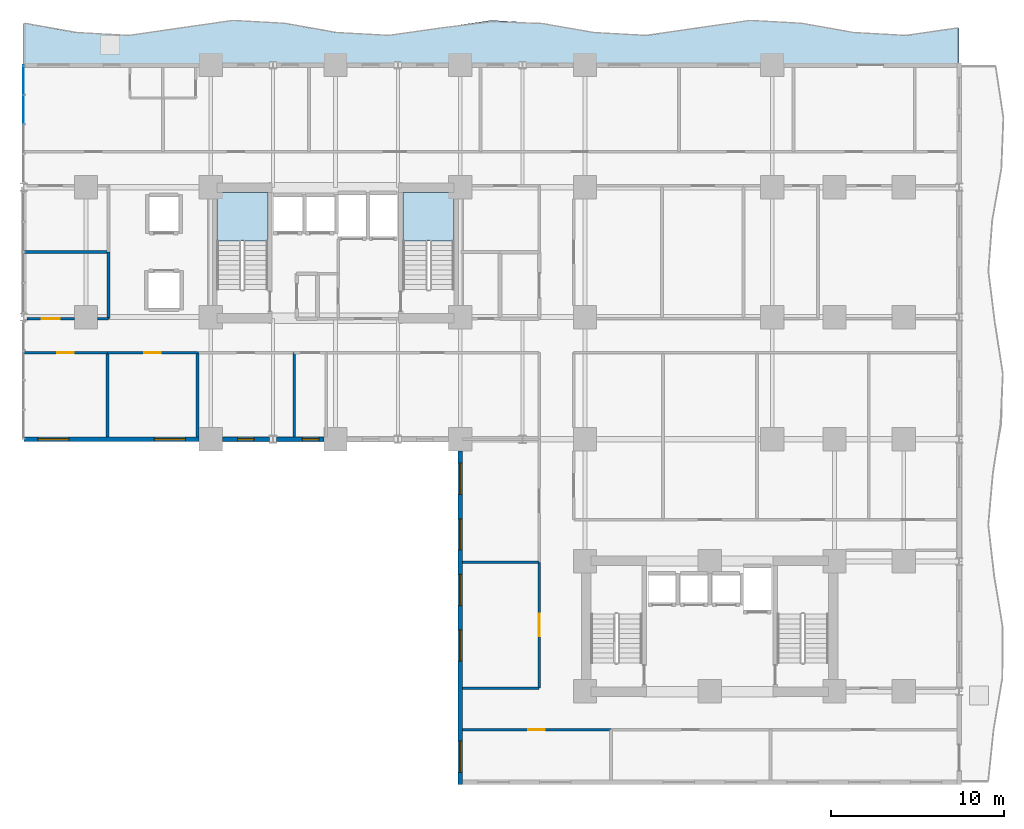
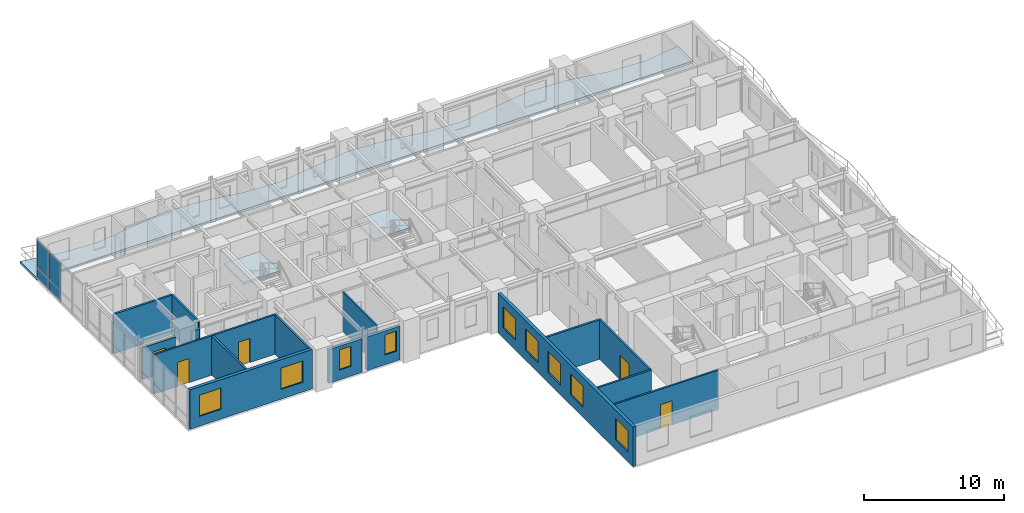
# One storey, part 10 of 19: 17 walls, 9 windows, 5 doors, 4 plates, 3 slabs, 14 openings, 3 elements without a shape of their own.
"""IFC4 building model written with IfcOpenShell, lengths in metres."""

from ifc_helpers import new_model, si_unit, direction, frame, frame_2d, origin, origin_2d, place, context, subcontext, project, spatial, polyline, rectangle, outline, extrude, source, transform, mapped, material, layer, layer_set, type_object, element, fill, aggregate, save


model = new_model("IFC4")

# Units and contexts
model_context = context("Model", 3, precision=1e-05, world=origin(), true_north=direction((0.0, 1.0)))
body_context = subcontext(model_context, "Body", "Model", "MODEL_VIEW")
ifc_project = project(units=[si_unit("LENGTHUNIT", "METRE"), si_unit("AREAUNIT", "SQUARE_METRE"), si_unit("VOLUMEUNIT", "CUBIC_METRE"), si_unit("PLANEANGLEUNIT", "RADIAN"), si_unit("MASSUNIT", "GRAM", prefix="KILO")], contexts=[model_context])

# Site, building, storey
site_placement = place(None, origin())
site = spatial("IfcSite", under=ifc_project, at=site_placement, CompositionType="ELEMENT")
building_placement = place(site_placement, origin())
building = spatial("IfcBuilding", under=site, at=building_placement, Name="Kaliganga Portal Commons", CompositionType="ELEMENT")
storey_placement = place(building_placement, frame((0.0, 0.0, 47.5)))
storey = spatial("IfcBuildingStorey", under=building, at=storey_placement, Name="L11", CompositionType="ELEMENT", Elevation=47.5)

# Slab
ifc_material_1 = material(Name="Concrete C40/50", Category="concrete")
ifc_layer_1 = layer(ifc_material_1, 0.2099609375)
ifc_layer_set_1 = layer_set([ifc_layer_1], Name="Concrete C40/50")
slab_type_1 = type_object("IfcSlabType", Name="SLB-BALC-210", PredefinedType="FLOOR", material=ifc_layer_set_1)
slab_1_placement = place(storey_placement, frame((0.0, 0.0, -0.2099609375)))
element("IfcSlab", 1, at=slab_1_placement, inside=storey, type_object=slab_type_1, Name="Scalloped Tree-Planter Balcony Slab L11 balc_north", PredefinedType="FLOOR", context=body_context, shape_type="SweptSolid", body=[
    extrude(outline(polyline([(57.60009765625, 43.199951171875), (57.60009765625, 45.34326171875), (54.60009765625, 44.908935546875), (51.60009765625, 45.07470703125), (48.60009765625, 45.61181640625), (45.60009765625, 45.777587890625), (42.60009765625, 45.34326171875), (39.60009765625, 44.908935546875), (36.60009765625, 45.07470703125), (33.60009765625, 45.61181640625), (30.60009765625, 45.777587890625), (27.60009765625, 45.34326171875), (24.60009765625, 44.908935546875), (21.60009765625, 45.07470703125), (18.60009765625, 45.61181640625), (15.60009765625, 45.777587890625), (12.60009765625, 45.34326171875), (9.60009765625, 44.908935546875), (6.60009765625, 45.07470703125), (3.60009765625, 45.61181640625), (3.60009765625, 43.199951171875), (57.60009765625, 43.199951171875)])), origin(), (0.0, 0.0, 1.0), 0.2099609375),
])

# Stair, slab
stair_type = type_object("IfcStairType", Name="ST-CORE-DOGLEG", PredefinedType="HALF_TURN_STAIR", material=ifc_material_1)
stair_1_placement = place(storey_placement, origin())
stair_1 = element("IfcStair", 2, at=stair_1_placement, inside=storey, type_object=stair_type, Name="L11 Protected Exit Stair ST-A1", PredefinedType="HALF_TURN_STAIR")
ifc_layer_2 = layer(ifc_material_1, 0.199951171875)
ifc_layer_set_2 = layer_set([ifc_layer_2], Name="Concrete C40/50")
slab_type_2 = type_object("IfcSlabType", Name="SLB-STAIR-LND", PredefinedType="LANDING", material=ifc_layer_set_2)
slab_2_placement = place(storey_placement, frame((0.0, 0.0, 1.64990234375)))
slab_2 = element("IfcSlab", 3, at=slab_2_placement, type_object=slab_type_2, Name="ST-A1 landing 1", PredefinedType="LANDING", context=body_context, shape_type="SweptSolid", body=[
    extrude(outline(polyline([(17.699951171875, 33.050048828125), (17.699951171875, 35.85009765625), (14.75, 35.85009765625), (14.75, 33.050048828125), (17.699951171875, 33.050048828125)])), origin(), (0.0, 0.0, 1.0), 0.2001953125),
])
aggregate(stair_1, [slab_2])

stair_2_placement = place(storey_placement, origin())
stair_2 = element("IfcStair", 4, at=stair_2_placement, inside=storey, type_object=stair_type, Name="L11 Protected Exit Stair ST-A2", PredefinedType="HALF_TURN_STAIR")
slab_3_placement = place(storey_placement, frame((0.0, 0.0, 1.64990234375)))
slab_3 = element("IfcSlab", 5, at=slab_3_placement, type_object=slab_type_2, Name="ST-A2 landing 1", PredefinedType="LANDING", context=body_context, shape_type="SweptSolid", body=[
    extrude(outline(polyline([(28.449951171875, 33.050048828125), (28.449951171875, 35.85009765625), (25.5, 35.85009765625), (25.5, 33.050048828125), (28.449951171875, 33.050048828125)])), origin(), (0.0, 0.0, 1.0), 0.2001953125),
])
aggregate(stair_2, [slab_3])

# Curtain wall, plates
ifc_material_2 = material(Name="Anodized Aluminium and Laminated Low-E Glass", Category="aluminium")
ifc_layer_3 = layer(ifc_material_2, 0.199951171875)
ifc_layer_set_3 = layer_set([ifc_layer_3], Name="Anodized Aluminium and Laminated Low-E Glass")
curtain_wall_type = type_object("IfcCurtainWallType", Name="CW-SYS-02", PredefinedType="NOTDEFINED", material=ifc_layer_set_3)
curtain_wall_placement = place(storey_placement, origin())
curtain_wall = element("IfcCurtainWall", 6, at=curtain_wall_placement, inside=storey, type_object=curtain_wall_type, Name="CW 02 L11 P1E03S1", PredefinedType="NOTDEFINED")
ifc_material_3 = material(Name="Insulated Dark Spandrel Panel", Category="metal")
ifc_layer_4 = layer(ifc_material_3, 0.044921875)
ifc_layer_set_4 = layer_set([ifc_layer_4], Name="Insulated Dark Spandrel Panel")
plate_type_1 = type_object("IfcPlateType", Name="PLT-SPN-45", PredefinedType="SHEET", material=ifc_layer_set_4)
shared_shape_1 = source(origin(), body_context, "Body", "SweptSolid", [
    extrude(rectangle(XDim=1.66650390625, YDim=0.044921875, at=origin_2d()), origin(), (0.0, 0.0, 1.0), 0.929931640625),
])
plate_1_placement = place(storey_placement, frame((3.60009765625, 42.3466796875, 0.01025390625), z_axis=(0.0, 0.0, 1.0), x_axis=(0.0, -1.0, 0.0)))
plate_1 = element("IfcPlate", 7, at=plate_1_placement, type_object=plate_type_1, Name="CW:02:L11:P1E03S1 Spandrel 00", PredefinedType="SHEET", context=body_context, shape_type="MappedRepresentation", body=[
    mapped(shared_shape_1, transform((0.0, 0.0, 0.0), x_axis=(1.0, 0.0, 0.0), y_axis=(0.0, 1.0, 0.0), z_axis=(0.0, 0.0, 1.0), scale=1.0)),
])
plate_2_placement = place(storey_placement, frame((3.60009765625, 40.640380859375, 0.01025390625), z_axis=(0.0, 0.0, 1.0), x_axis=(0.0, -1.0, 0.0)))
plate_2 = element("IfcPlate", 8, at=plate_2_placement, type_object=plate_type_1, Name="CW:02:L11:P1E03S1 Spandrel 01", PredefinedType="SHEET", context=body_context, shape_type="MappedRepresentation", body=[
    mapped(shared_shape_1, transform((0.0, 0.0, 0.0), x_axis=(1.0, 0.0, 0.0), y_axis=(0.0, 1.0, 0.0), z_axis=(0.0, 0.0, 1.0), scale=1.0)),
])
ifc_material_4 = material(Name="Dark Solar-Control Laminated Low-E IGU", Category="glass")
ifc_layer_5 = layer(ifc_material_4, 0.028076171875)
ifc_layer_set_5 = layer_set([ifc_layer_5], Name="Dark Solar-Control Laminated Low-E IGU")
plate_type_2 = type_object("IfcPlateType", Name="PLT-GLZ-28", PredefinedType="CURTAIN_PANEL", material=ifc_layer_set_5)
shared_shape_2 = source(origin(), body_context, "Body", "SweptSolid", [
    extrude(rectangle(XDim=1.66650390625, YDim=0.028076171875, at=origin_2d()), origin(), (0.0, 0.0, 1.0), 2.39990234375),
])
plate_3_placement = place(storey_placement, frame((3.60009765625, 42.3466796875, 0.9599609375), z_axis=(0.0, 0.0, 1.0), x_axis=(0.0, -1.0, 0.0)))
plate_3 = element("IfcPlate", 9, at=plate_3_placement, type_object=plate_type_2, Name="CW:02:L11:P1E03S1 Vision IGU 00", PredefinedType="CURTAIN_PANEL", context=body_context, shape_type="MappedRepresentation", body=[
    mapped(shared_shape_2, transform((0.0, 0.0, 0.0), x_axis=(1.0, 0.0, 0.0), y_axis=(0.0, 1.0, 0.0), z_axis=(0.0, 0.0, 1.0), scale=1.0)),
])
plate_4_placement = place(storey_placement, frame((3.60009765625, 40.640380859375, 0.9599609375), z_axis=(0.0, 0.0, 1.0), x_axis=(0.0, -1.0, 0.0)))
plate_4 = element("IfcPlate", 10, at=plate_4_placement, type_object=plate_type_2, Name="CW:02:L11:P1E03S1 Vision IGU 01", PredefinedType="CURTAIN_PANEL", context=body_context, shape_type="MappedRepresentation", body=[
    mapped(shared_shape_2, transform((0.0, 0.0, 0.0), x_axis=(1.0, 0.0, 0.0), y_axis=(0.0, 1.0, 0.0), z_axis=(0.0, 0.0, 1.0), scale=1.0)),
])
aggregate(curtain_wall, [plate_1, plate_3, plate_2, plate_4])

# Wall, openings, windows
ifc_material_5 = material(Name="Insulated Aluminium-Clad Spandrel Assembly", Category="aluminium")
ifc_layer_6 = layer(ifc_material_5, 0.260009765625)
ifc_layer_set_6 = layer_set([ifc_layer_6], Name="Insulated Aluminium-Clad Spandrel Assembly")
wall_type_1 = type_object("IfcWallType", Name="WL-EXT-SPAND-260", PredefinedType="STANDARD", material=ifc_layer_set_6)
wall_1_placement = place(storey_placement, frame((13.72412109375, 21.60009765625, 0.0), z_axis=(0.0, 0.0, 1.0), x_axis=(-1.0, 0.0, 0.0)))
wall_1 = element("IfcWall", 11, at=wall_1_placement, inside=storey, type_object=wall_type_1, Name="Exterior Envelope Wall L11 P1-E04-S1", PredefinedType="STANDARD", context=body_context, shape_type="SweptSolid", body=[
    extrude(rectangle(XDim=10.087158203125, YDim=0.260009765625, at=frame_2d((5.04345703125, 0.0))), origin(), (0.0, 0.0, 1.0), 3.429931640625),
])
opening_1_placement = place(wall_1_placement, frame((0.78125, 0.0, 0.85009765625)))
opening_1 = element("IfcOpeningElement", 12, at=opening_1_placement, cuts=wall_1, Name="Opening W-01", PredefinedType="OPENING", context=body_context, shape_type="SweptSolid", body=[
    extrude(rectangle(XDim=1.800048828125, YDim=1.85009765625, at=frame_2d((0.89990234375, 0.925048828125))), frame((0.0, 0.14013671875, 0.0), z_axis=(0.0, -1.0, 0.0), x_axis=(1.0, 0.0, 0.0)), (0.0, 0.0, 1.0), 0.280029296875),
])
opening_2_placement = place(wall_1_placement, frame((7.505859375, 0.0, 0.85009765625)))
opening_2 = element("IfcOpeningElement", 13, at=opening_2_placement, cuts=wall_1, Name="Opening W-01", PredefinedType="OPENING", context=body_context, shape_type="SweptSolid", body=[
    extrude(rectangle(XDim=1.800048828125, YDim=1.85009765625, at=frame_2d((0.89990234375, 0.925048828125))), frame((0.0, 0.14013671875, 0.0), z_axis=(0.0, -1.0, 0.0), x_axis=(1.0, 0.0, 0.0)), (0.0, 0.0, 1.0), 0.280029296875),
])
ifc_material_6 = material(Name="Thermally Broken Aluminium and Low-E Double Glazing", Category="aluminium")
window_type_1 = type_object("IfcWindowType", Name="WIN-STD-1800", PartitioningType="DOUBLE_PANEL_VERTICAL", PredefinedType="WINDOW", material=ifc_material_6)
window_1_placement = place(opening_1_placement, origin())
window_1 = element("IfcWindow", 14, at=window_1_placement, inside=storey, type_object=window_type_1, Name="Facade Window L11-P1E04S1-00", OverallHeight=1.85009765625, OverallWidth=1.800048828125, PartitioningType="SINGLE_PANEL", PredefinedType="WINDOW", context=body_context, shape_type="SweptSolid", body=[
    extrude(rectangle(XDim=1.800048828125, YDim=1.85009765625, at=frame_2d((0.89990234375, 0.925048828125))), frame((0.0, 0.030029296875, 0.0), z_axis=(0.0, -1.0, 0.0), x_axis=(1.0, 0.0, 0.0)), (0.0, 0.0, 1.0), 0.06005859375),
])
fill(opening_1, window_1)
window_2_placement = place(opening_2_placement, origin())
window_2 = element("IfcWindow", 15, at=window_2_placement, inside=storey, type_object=window_type_1, Name="Facade Window L11-P1E04S1-02", OverallHeight=1.85009765625, OverallWidth=1.800048828125, PartitioningType="SINGLE_PANEL", PredefinedType="WINDOW", context=body_context, shape_type="SweptSolid", body=[
    extrude(rectangle(XDim=1.800048828125, YDim=1.85009765625, at=frame_2d((0.89990234375, 0.925048828125))), frame((0.0, 0.030029296875, 0.0), z_axis=(0.0, -1.0, 0.0), x_axis=(1.0, 0.0, 0.0)), (0.0, 0.0, 1.0), 0.06005859375),
])
fill(opening_2, window_2)

# Wall, opening, window
wall_2_placement = place(storey_placement, frame((17.791015625, 21.60009765625, 0.0), z_axis=(0.0, 0.0, 1.0), x_axis=(-1.0, 0.0, 0.0)))
wall_2 = element("IfcWall", 16, at=wall_2_placement, inside=storey, type_object=wall_type_1, Name="Exterior Envelope Wall L11 P1-E04-S2", PredefinedType="STANDARD", context=body_context, shape_type="SweptSolid", body=[
    extrude(rectangle(XDim=2.715087890625, YDim=0.260009765625, at=frame_2d((1.357421875, 0.0))), origin(), (0.0, 0.0, 1.0), 2.929931640625),
])
opening_3_placement = place(wall_2_placement, frame((0.882568359375, 0.0, 0.85009765625)))
opening_3 = element("IfcOpeningElement", 17, at=opening_3_placement, cuts=wall_2, Name="Opening W-04", PredefinedType="OPENING", context=body_context, shape_type="SweptSolid", body=[
    extrude(rectangle(XDim=0.949951171875, YDim=1.75, at=frame_2d((0.47509765625, 0.875))), frame((0.0, 0.14013671875, 0.0), z_axis=(0.0, -1.0, 0.0), x_axis=(1.0, 0.0, 0.0)), (0.0, 0.0, 1.0), 0.280029296875),
])
window_type_2 = type_object("IfcWindowType", Name="WIN-NARROW-950", PartitioningType="SINGLE_PANEL", PredefinedType="WINDOW", material=ifc_material_6)
window_3_placement = place(opening_3_placement, origin())
window_3 = element("IfcWindow", 18, at=window_3_placement, inside=storey, type_object=window_type_2, Name="Facade Window L11-P1E04S2-00", OverallHeight=1.75, OverallWidth=0.949951171875, PartitioningType="SINGLE_PANEL", PredefinedType="WINDOW", context=body_context, shape_type="SweptSolid", body=[
    extrude(rectangle(XDim=0.949951171875, YDim=1.75, at=frame_2d((0.47509765625, 0.875))), frame((0.0, 0.030029296875, 0.0), z_axis=(0.0, -1.0, 0.0), x_axis=(1.0, 0.0, 0.0)), (0.0, 0.0, 1.0), 0.06005859375),
])
fill(opening_3, window_3)

wall_3_placement = place(storey_placement, frame((20.924072265625, 21.60009765625, 0.0), z_axis=(0.0, 0.0, 1.0), x_axis=(-1.0, 0.0, 0.0)))
wall_3 = element("IfcWall", 19, at=wall_3_placement, inside=storey, type_object=wall_type_1, Name="Exterior Envelope Wall L11 P1-E04-S3", PredefinedType="STANDARD", context=body_context, shape_type="SweptSolid", body=[
    extrude(rectangle(XDim=2.715087890625, YDim=0.260009765625, at=frame_2d((1.357421875, 0.0))), origin(), (0.0, 0.0, 1.0), 2.929931640625),
])
opening_4_placement = place(wall_3_placement, frame((0.28515625, 0.0, 0.85009765625)))
opening_4 = element("IfcOpeningElement", 20, at=opening_4_placement, cuts=wall_3, Name="Opening W-04", PredefinedType="OPENING", context=body_context, shape_type="SweptSolid", body=[
    extrude(rectangle(XDim=0.949951171875, YDim=1.75, at=frame_2d((0.47509765625, 0.875))), frame((0.0, 0.14013671875, 0.0), z_axis=(0.0, -1.0, 0.0), x_axis=(1.0, 0.0, 0.0)), (0.0, 0.0, 1.0), 0.280029296875),
])
window_4_placement = place(opening_4_placement, origin())
window_4 = element("IfcWindow", 21, at=window_4_placement, inside=storey, type_object=window_type_2, Name="Facade Window L11-P1E04S3-N3", OverallHeight=1.75, OverallWidth=0.949951171875, PartitioningType="SINGLE_PANEL", PredefinedType="WINDOW", context=body_context, shape_type="SweptSolid", body=[
    extrude(rectangle(XDim=0.949951171875, YDim=1.75, at=frame_2d((0.47509765625, 0.875))), frame((0.0, 0.030029296875, 0.0), z_axis=(0.0, -1.0, 0.0), x_axis=(1.0, 0.0, 0.0)), (0.0, 0.0, 1.0), 0.06005859375),
])
fill(opening_4, window_4)

# Wall, openings, windows
wall_4_placement = place(storey_placement, frame((28.800048828125, 1.669921875, 0.0), z_axis=(0.0, 0.0, 1.0), x_axis=(0.0, 1.0, 0.0)))
wall_4 = element("IfcWall", 22, at=wall_4_placement, inside=storey, type_object=wall_type_1, Name="Exterior Envelope Wall L11 P1-E05-S1", PredefinedType="STANDARD", context=body_context, shape_type="SweptSolid", body=[
    extrude(rectangle(XDim=19.254150390625, YDim=0.260009765625, at=frame_2d((9.626953125, 0.0))), origin(), (0.0, 0.0, 1.0), 3.429931640625),
])
opening_5_placement = place(wall_4_placement, frame((0.70458984375, 0.0, 0.85009765625)))
opening_5 = element("IfcOpeningElement", 23, at=opening_5_placement, cuts=wall_4, Name="Opening W-01", PredefinedType="OPENING", context=body_context, shape_type="SweptSolid", body=[
    extrude(rectangle(XDim=1.800048828125, YDim=1.85009765625, at=frame_2d((0.89990234375, 0.925048828125))), frame((0.0, 0.14013671875, 0.0), z_axis=(0.0, -1.0, 0.0), x_axis=(1.0, 0.0, 0.0)), (0.0, 0.0, 1.0), 0.280029296875),
])
opening_6_placement = place(wall_4_placement, frame((7.12255859375, 0.0, 0.85009765625)))
opening_6 = element("IfcOpeningElement", 24, at=opening_6_placement, cuts=wall_4, Name="Opening W-01", PredefinedType="OPENING", context=body_context, shape_type="SweptSolid", body=[
    extrude(rectangle(XDim=1.800048828125, YDim=1.85009765625, at=frame_2d((0.89990234375, 0.925048828125))), frame((0.0, 0.14013671875, 0.0), z_axis=(0.0, -1.0, 0.0), x_axis=(1.0, 0.0, 0.0)), (0.0, 0.0, 1.0), 0.280029296875),
])
opening_7_placement = place(wall_4_placement, frame((10.33154296875, 0.0, 0.85009765625)))
opening_7 = element("IfcOpeningElement", 25, at=opening_7_placement, cuts=wall_4, Name="Opening W-01", PredefinedType="OPENING", context=body_context, shape_type="SweptSolid", body=[
    extrude(rectangle(XDim=1.800048828125, YDim=1.85009765625, at=frame_2d((0.89990234375, 0.925048828125))), frame((0.0, 0.14013671875, 0.0), z_axis=(0.0, -1.0, 0.0), x_axis=(1.0, 0.0, 0.0)), (0.0, 0.0, 1.0), 0.280029296875),
])
opening_8_placement = place(wall_4_placement, frame((13.54052734375, 0.0, 0.85009765625)))
opening_8 = element("IfcOpeningElement", 26, at=opening_8_placement, cuts=wall_4, Name="Opening W-01", PredefinedType="OPENING", context=body_context, shape_type="SweptSolid", body=[
    extrude(rectangle(XDim=1.800048828125, YDim=1.85009765625, at=frame_2d((0.89990234375, 0.925048828125))), frame((0.0, 0.14013671875, 0.0), z_axis=(0.0, -1.0, 0.0), x_axis=(1.0, 0.0, 0.0)), (0.0, 0.0, 1.0), 0.280029296875),
])
opening_9_placement = place(wall_4_placement, frame((16.74951171875, 0.0, 0.85009765625)))
opening_9 = element("IfcOpeningElement", 27, at=opening_9_placement, cuts=wall_4, Name="Opening W-01", PredefinedType="OPENING", context=body_context, shape_type="SweptSolid", body=[
    extrude(rectangle(XDim=1.800048828125, YDim=1.85009765625, at=frame_2d((0.89990234375, 0.925048828125))), frame((0.0, 0.14013671875, 0.0), z_axis=(0.0, -1.0, 0.0), x_axis=(1.0, 0.0, 0.0)), (0.0, 0.0, 1.0), 0.280029296875),
])
window_5_placement = place(opening_5_placement, origin())
window_5 = element("IfcWindow", 28, at=window_5_placement, inside=storey, type_object=window_type_1, Name="Facade Window L11-P1E05S1-00", OverallHeight=1.85009765625, OverallWidth=1.800048828125, PartitioningType="SINGLE_PANEL", PredefinedType="WINDOW", context=body_context, shape_type="SweptSolid", body=[
    extrude(rectangle(XDim=1.800048828125, YDim=1.85009765625, at=frame_2d((0.89990234375, 0.925048828125))), frame((0.0, 0.030029296875, 0.0), z_axis=(0.0, -1.0, 0.0), x_axis=(1.0, 0.0, 0.0)), (0.0, 0.0, 1.0), 0.06005859375),
])
fill(opening_5, window_5)
window_6_placement = place(opening_6_placement, origin())
window_6 = element("IfcWindow", 29, at=window_6_placement, inside=storey, type_object=window_type_1, Name="Facade Window L11-P1E05S1-02", OverallHeight=1.85009765625, OverallWidth=1.800048828125, PartitioningType="SINGLE_PANEL", PredefinedType="WINDOW", context=body_context, shape_type="SweptSolid", body=[
    extrude(rectangle(XDim=1.800048828125, YDim=1.85009765625, at=frame_2d((0.89990234375, 0.925048828125))), frame((0.0, 0.030029296875, 0.0), z_axis=(0.0, -1.0, 0.0), x_axis=(1.0, 0.0, 0.0)), (0.0, 0.0, 1.0), 0.06005859375),
])
fill(opening_6, window_6)
window_7_placement = place(opening_7_placement, origin())
window_7 = element("IfcWindow", 30, at=window_7_placement, inside=storey, type_object=window_type_1, Name="Facade Window L11-P1E05S1-03", OverallHeight=1.85009765625, OverallWidth=1.800048828125, PartitioningType="SINGLE_PANEL", PredefinedType="WINDOW", context=body_context, shape_type="SweptSolid", body=[
    extrude(rectangle(XDim=1.800048828125, YDim=1.85009765625, at=frame_2d((0.89990234375, 0.925048828125))), frame((0.0, 0.030029296875, 0.0), z_axis=(0.0, -1.0, 0.0), x_axis=(1.0, 0.0, 0.0)), (0.0, 0.0, 1.0), 0.06005859375),
])
fill(opening_7, window_7)
window_8_placement = place(opening_8_placement, origin())
window_8 = element("IfcWindow", 31, at=window_8_placement, inside=storey, type_object=window_type_1, Name="Facade Window L11-P1E05S1-04", OverallHeight=1.85009765625, OverallWidth=1.800048828125, PartitioningType="SINGLE_PANEL", PredefinedType="WINDOW", context=body_context, shape_type="SweptSolid", body=[
    extrude(rectangle(XDim=1.800048828125, YDim=1.85009765625, at=frame_2d((0.89990234375, 0.925048828125))), frame((0.0, 0.030029296875, 0.0), z_axis=(0.0, -1.0, 0.0), x_axis=(1.0, 0.0, 0.0)), (0.0, 0.0, 1.0), 0.06005859375),
])
fill(opening_8, window_8)
window_9_placement = place(opening_9_placement, origin())
window_9 = element("IfcWindow", 32, at=window_9_placement, inside=storey, type_object=window_type_1, Name="Facade Window L11-P1E05S1-05", OverallHeight=1.85009765625, OverallWidth=1.800048828125, PartitioningType="SINGLE_PANEL", PredefinedType="WINDOW", context=body_context, shape_type="SweptSolid", body=[
    extrude(rectangle(XDim=1.800048828125, YDim=1.85009765625, at=frame_2d((0.89990234375, 0.925048828125))), frame((0.0, 0.030029296875, 0.0), z_axis=(0.0, -1.0, 0.0), x_axis=(1.0, 0.0, 0.0)), (0.0, 0.0, 1.0), 0.06005859375),
])
fill(opening_9, window_9)

# Wall, opening, door
ifc_material_7 = material(Name="Fire-Rated Gypsum Board on Steel Stud", Category="steel")
ifc_layer_7 = layer(ifc_material_7, 0.14990234375)
ifc_layer_set_7 = layer_set([ifc_layer_7], Name="Fire-Rated Gypsum Board on Steel Stud")
wall_type_2 = type_object("IfcWallType", Name="WL-PART-CORR-150", PredefinedType="PARTITIONING", material=ifc_layer_set_7)
wall_5_placement = place(storey_placement, frame((28.931884765625, 4.840087890625, 0.0), z_axis=(0.0, 0.0, 1.0), x_axis=(1.0, 0.0, 0.0)))
wall_5 = element("IfcWall", 33, at=wall_5_placement, inside=storey, type_object=wall_type_2, Name="Interior Partition L11-013", PredefinedType="PARTITIONING", context=body_context, shape_type="SweptSolid", body=[
    extrude(rectangle(XDim=8.568115234375, YDim=0.14990234375, at=frame_2d((4.2841796875, 0.0))), origin(), (0.0, 0.0, 1.0), 3.429931640625),
])
opening_10_placement = place(wall_5_placement, frame((3.80908203125, 0.0, 0.0)))
opening_10 = element("IfcOpeningElement", 34, at=opening_10_placement, cuts=wall_5, Name="Opening UD-01", PredefinedType="OPENING", context=body_context, shape_type="SweptSolid", body=[
    extrude(rectangle(XDim=0.949951171875, YDim=2.10009765625, at=frame_2d((0.47509765625, 1.050048828125))), frame((0.0, 0.0849609375, 0.0), z_axis=(0.0, -1.0, 0.0), x_axis=(1.0, 0.0, 0.0)), (0.0, 0.0, 1.0), 0.169921875),
])
ifc_material_8 = material(Name="Solid-Core Timber Acoustic Fire Door", Category="wood")
door_type_1 = type_object("IfcDoorType", Name="DR-UNIT-950", OperationType="NOTDEFINED", PredefinedType="DOOR", material=ifc_material_8)
door_1_placement = place(opening_10_placement, origin())
door_1 = element("IfcDoor", 35, at=door_1_placement, inside=storey, type_object=door_type_1, Name="Interior Door L11-BS01", OperationType="SINGLE_SWING_LEFT", OverallHeight=2.10009765625, OverallWidth=0.949951171875, PredefinedType="DOOR", context=body_context, shape_type="SweptSolid", body=[
    extrude(rectangle(XDim=0.949951171875, YDim=2.10009765625, at=frame_2d((0.47509765625, 1.050048828125))), frame((0.0, 0.02490234375, 0.0), z_axis=(0.0, -1.0, 0.0), x_axis=(1.0, 0.0, 0.0)), (0.0, 0.0, 1.0), 0.050048828125),
])
fill(opening_10, door_1)

wall_6_placement = place(storey_placement, frame((33.360107421875, 7.239990234375, 0.0), z_axis=(0.0, 0.0, 1.0), x_axis=(0.0, 1.0, 0.0)))
wall_6 = element("IfcWall", 36, at=wall_6_placement, inside=storey, type_object=wall_type_2, Name="Interior Partition L11-019", PredefinedType="PARTITIONING", context=body_context, shape_type="SweptSolid", body=[
    extrude(rectangle(XDim=7.260009765625, YDim=0.14990234375, at=frame_2d((3.6298828125, 0.0))), origin(), (0.0, 0.0, 1.0), 3.429931640625),
])
opening_11_placement = place(wall_6_placement, frame((2.97998046875, 0.0, 0.0)))
opening_11 = element("IfcOpeningElement", 37, at=opening_11_placement, cuts=wall_6, Name="Opening RD-03", PredefinedType="OPENING", context=body_context, shape_type="SweptSolid", body=[
    extrude(rectangle(XDim=1.300048828125, YDim=2.1201171875, at=frame_2d((0.64990234375, 1.06005859375))), frame((0.0, 0.0849609375, 0.0), z_axis=(0.0, -1.0, 0.0), x_axis=(1.0, 0.0, 0.0)), (0.0, 0.0, 1.0), 0.169921875),
])
ifc_material_9 = material(Name="Glazed Timber Seminar Vision Door", Category="wood")
door_type_2 = type_object("IfcDoorType", Name="DR-STUDY-1300", OperationType="DOUBLE_DOOR_SINGLE_SWING", PredefinedType="DOOR", material=ifc_material_9)
door_2_placement = place(opening_11_placement, origin())
door_2 = element("IfcDoor", 38, at=door_2_placement, inside=storey, type_object=door_type_2, Name="Interior Door L11-KW01", OperationType="DOUBLE_DOOR_SINGLE_SWING", OverallHeight=2.1201171875, OverallWidth=1.300048828125, PredefinedType="DOOR", context=body_context, shape_type="SweptSolid", body=[
    extrude(rectangle(XDim=1.300048828125, YDim=2.1201171875, at=frame_2d((0.64990234375, 1.06005859375))), frame((0.0, 0.02490234375, 0.0), z_axis=(0.0, -1.0, 0.0), x_axis=(1.0, 0.0, 0.0)), (0.0, 0.0, 1.0), 0.050048828125),
])
fill(opening_11, door_2)

wall_7_placement = place(storey_placement, frame((8.43994140625, 26.60009765625, 0.0), z_axis=(0.0, 0.0, 1.0), x_axis=(1.0, 0.0, 0.0)))
wall_7 = element("IfcWall", 39, at=wall_7_placement, inside=storey, type_object=wall_type_2, Name="Interior Partition L11-031", PredefinedType="PARTITIONING", context=body_context, shape_type="SweptSolid", body=[
    extrude(rectangle(XDim=5.199951171875, YDim=0.14990234375, at=frame_2d((2.60009765625, 0.0))), origin(), (0.0, 0.0, 1.0), 3.429931640625),
])
opening_12_placement = place(wall_7_placement, frame((2.125, 0.0, 0.0)))
opening_12 = element("IfcOpeningElement", 40, at=opening_12_placement, cuts=wall_7, Name="Opening UD-01", PredefinedType="OPENING", context=body_context, shape_type="SweptSolid", body=[
    extrude(rectangle(XDim=0.949951171875, YDim=2.10009765625, at=frame_2d((0.47509765625, 1.050048828125))), frame((0.0, 0.0849609375, 0.0), z_axis=(0.0, -1.0, 0.0), x_axis=(1.0, 0.0, 0.0)), (0.0, 0.0, 1.0), 0.169921875),
])
door_3_placement = place(opening_12_placement, origin())
door_3 = element("IfcDoor", 41, at=door_3_placement, inside=storey, type_object=door_type_1, Name="Interior Door L11-AS02", OperationType="SINGLE_SWING_LEFT", OverallHeight=2.10009765625, OverallWidth=0.949951171875, PredefinedType="DOOR", context=body_context, shape_type="SweptSolid", body=[
    extrude(rectangle(XDim=0.949951171875, YDim=2.10009765625, at=frame_2d((0.47509765625, 1.050048828125))), frame((0.0, 0.02490234375, 0.0), z_axis=(0.0, -1.0, 0.0), x_axis=(1.0, 0.0, 0.0)), (0.0, 0.0, 1.0), 0.050048828125),
])
fill(opening_12, door_3)

wall_8_placement = place(storey_placement, frame((3.80810546875, 28.56005859375, 0.0), z_axis=(0.0, 0.0, 1.0), x_axis=(1.0, 0.0, 0.0)))
wall_8 = element("IfcWall", 42, at=wall_8_placement, inside=storey, type_object=wall_type_2, Name="Interior Partition L11-035", PredefinedType="PARTITIONING", context=body_context, shape_type="SweptSolid", body=[
    extrude(rectangle(XDim=2.716796875, YDim=0.14990234375, at=frame_2d((1.3583984375, 0.0))), origin(), (0.0, 0.0, 1.0), 2.780029296875),
])
opening_13_placement = place(wall_8_placement, frame((0.83349609375, 0.0, 0.0)))
opening_13 = element("IfcOpeningElement", 43, at=opening_13_placement, cuts=wall_8, Name="Opening UD-02", PredefinedType="OPENING", context=body_context, shape_type="SweptSolid", body=[
    extrude(rectangle(XDim=1.050048828125, YDim=2.1201171875, at=frame_2d((0.52490234375, 1.06005859375))), frame((0.0, 0.0849609375, 0.0), z_axis=(0.0, -1.0, 0.0), x_axis=(1.0, 0.0, 0.0)), (0.0, 0.0, 1.0), 0.169921875),
])
ifc_material_10 = material(Name="Accessible Wide-Leaf Acoustic Fire Door", Category="wood")
door_type_3 = type_object("IfcDoorType", Name="DR-ACC-1050", OperationType="NOTDEFINED", PredefinedType="DOOR", material=ifc_material_10)
door_4_placement = place(opening_13_placement, origin())
door_4 = element("IfcDoor", 44, at=door_4_placement, inside=storey, type_object=door_type_3, Name="Interior Door L11-AW01", OperationType="SINGLE_SWING_RIGHT", OverallHeight=2.1201171875, OverallWidth=1.050048828125, PredefinedType="DOOR", context=body_context, shape_type="SweptSolid", body=[
    extrude(rectangle(XDim=1.050048828125, YDim=2.1201171875, at=frame_2d((0.52490234375, 1.06005859375))), frame((0.0, 0.02490234375, 0.0), z_axis=(0.0, -1.0, 0.0), x_axis=(1.0, 0.0, 0.0)), (0.0, 0.0, 1.0), 0.050048828125),
])
fill(opening_13, door_4)

# Wall
wall_9_placement = place(storey_placement, frame((7.875, 28.56005859375, 0.0), z_axis=(0.0, 0.0, 1.0), x_axis=(1.0, 0.0, 0.0)))
element("IfcWall", 45, at=wall_9_placement, inside=storey, type_object=wall_type_2, Name="Interior Partition L11-036", PredefinedType="PARTITIONING", context=body_context, shape_type="SweptSolid", body=[
    extrude(rectangle(XDim=0.625, YDim=0.14990234375, at=frame_2d((0.3125, 0.0))), origin(), (0.0, 0.0, 1.0), 2.780029296875),
])

# Wall, opening, door
wall_10_placement = place(storey_placement, frame((3.6201171875, 26.60009765625, 0.0), z_axis=(0.0, 0.0, 1.0), x_axis=(1.0, 0.0, 0.0)))
wall_10 = element("IfcWall", 46, at=wall_10_placement, inside=storey, type_object=wall_type_2, Name="Interior Partition L11-039", PredefinedType="PARTITIONING", context=body_context, shape_type="SweptSolid", body=[
    extrude(rectangle(XDim=4.81982421875, YDim=0.14990234375, at=frame_2d((2.409912109375, 0.0))), origin(), (0.0, 0.0, 1.0), 3.429931640625),
])
opening_14_placement = place(wall_10_placement, frame((1.93505859375, 0.0, 0.0)))
opening_14 = element("IfcOpeningElement", 47, at=opening_14_placement, cuts=wall_10, Name="Opening UD-01", PredefinedType="OPENING", context=body_context, shape_type="SweptSolid", body=[
    extrude(rectangle(XDim=0.949951171875, YDim=2.10009765625, at=frame_2d((0.47509765625, 1.050048828125))), frame((0.0, 0.0849609375, 0.0), z_axis=(0.0, -1.0, 0.0), x_axis=(1.0, 0.0, 0.0)), (0.0, 0.0, 1.0), 0.169921875),
])
door_5_placement = place(opening_14_placement, origin())
door_5 = element("IfcDoor", 48, at=door_5_placement, inside=storey, type_object=door_type_1, Name="Interior Door L11-AS01", OperationType="SINGLE_SWING_RIGHT", OverallHeight=2.10009765625, OverallWidth=0.949951171875, PredefinedType="DOOR", context=body_context, shape_type="SweptSolid", body=[
    extrude(rectangle(XDim=0.949951171875, YDim=2.10009765625, at=frame_2d((0.47509765625, 1.050048828125))), frame((0.0, 0.02490234375, 0.0), z_axis=(0.0, -1.0, 0.0), x_axis=(1.0, 0.0, 0.0)), (0.0, 0.0, 1.0), 0.050048828125),
])
fill(opening_14, door_5)

# Walls
wall_11_placement = place(storey_placement, frame((28.931884765625, 7.239990234375, 0.0), z_axis=(0.0, 0.0, 1.0), x_axis=(1.0, 0.0, 0.0)))
element("IfcWall", 49, at=wall_11_placement, inside=storey, type_object=wall_type_2, Name="Interior Partition L11-041", PredefinedType="PARTITIONING", context=body_context, shape_type="SweptSolid", body=[
    extrude(rectangle(XDim=4.42822265625, YDim=0.14990234375, at=frame_2d((2.214111328125, 0.0))), origin(), (0.0, 0.0, 1.0), 3.429931640625),
])
wall_12_placement = place(storey_placement, frame((8.5, 28.56005859375, 0.0), z_axis=(0.0, 0.0, 1.0), x_axis=(0.0, 1.0, 0.0)))
element("IfcWall", 50, at=wall_12_placement, inside=storey, type_object=wall_type_2, Name="Interior Partition L11-047", PredefinedType="PARTITIONING", context=body_context, shape_type="SweptSolid", body=[
    extrude(rectangle(XDim=3.83984375, YDim=0.14990234375, at=frame_2d((1.919921875, 0.0))), origin(), (0.0, 0.0, 1.0), 3.429931640625),
])
ifc_material_11 = material(Name="Twin-Stud Acoustic Gypsum Partition", Category="gypsum")
ifc_layer_8 = layer(ifc_material_11, 0.1650390625)
ifc_layer_set_8 = layer_set([ifc_layer_8], Name="Twin-Stud Acoustic Gypsum Partition")
wall_type_3 = type_object("IfcWallType", Name="WL-PART-UNIT-165", PredefinedType="PARTITIONING", material=ifc_layer_set_8)
for number, where, z_axis, x_axis, name in (
    (51, (8.43994140625, 21.73193359375, 0.0), (0.0, 0.0, 1.0), (0.0, 1.0, 0.0), "Interior Partition L11-072"),
    (52, (13.639892578125, 21.73193359375, 0.0), (0.0, 0.0, 1.0), (0.0, 1.0, 0.0), "Interior Partition L11-073"),
):
    element("IfcWall", number, at=place(storey_placement, frame(where, z_axis=z_axis, x_axis=x_axis)), inside=storey, type_object=wall_type_3, Name=name, PredefinedType="PARTITIONING", context=body_context, shape_type="SweptSolid", body=[
        extrude(rectangle(XDim=4.8681640625, YDim=0.1650390625, at=frame_2d((2.43408203125, 0.0))), origin(), (0.0, 0.0, 1.0), 3.429931640625),
    ])
wall_13_placement = place(storey_placement, frame((3.6201171875, 32.39990234375, 0.0), z_axis=(0.0, 0.0, 1.0), x_axis=(1.0, 0.0, 0.0)))
element("IfcWall", 53, at=wall_13_placement, inside=storey, type_object=wall_type_3, Name="Interior Partition L11-081", PredefinedType="PARTITIONING", context=body_context, shape_type="SweptSolid", body=[
    extrude(rectangle(XDim=4.8798828125, YDim=0.1650390625, at=frame_2d((2.43994140625, 0.0))), origin(), (0.0, 0.0, 1.0), 3.429931640625),
])
wall_14_placement = place(storey_placement, frame((28.931884765625, 14.5, 0.0), z_axis=(0.0, 0.0, 1.0), x_axis=(1.0, 0.0, 0.0)))
element("IfcWall", 54, at=wall_14_placement, inside=storey, type_object=wall_type_3, Name="Interior Partition L11-083", PredefinedType="PARTITIONING", context=body_context, shape_type="SweptSolid", body=[
    extrude(rectangle(XDim=4.42822265625, YDim=0.1650390625, at=frame_2d((2.214111328125, 0.0))), origin(), (0.0, 0.0, 1.0), 3.429931640625),
])
ifc_material_12 = material(Name="Cement-Board Wet-Room Partition", Category="gypsum")
ifc_layer_9 = layer(ifc_material_12, 0.135009765625)
ifc_layer_set_9 = layer_set([ifc_layer_9], Name="Cement-Board Wet-Room Partition")
wall_type_4 = type_object("IfcWallType", Name="WL-PART-WET-135", PredefinedType="PARTITIONING", material=ifc_layer_set_9)
wall_15_placement = place(storey_placement, frame((19.219970703125, 21.73193359375, 0.0), z_axis=(0.0, 0.0, 1.0), x_axis=(0.0, 1.0, 0.0)))
element("IfcWall", 55, at=wall_15_placement, inside=storey, type_object=wall_type_4, Name="Interior Partition L11-074", PredefinedType="PARTITIONING", context=body_context, shape_type="SweptSolid", body=[
    extrude(rectangle(XDim=4.8681640625, YDim=0.135009765625, at=frame_2d((2.43408203125, 0.0))), origin(), (0.0, 0.0, 1.0), 3.429931640625),
])

save(model, "model.ifc")
